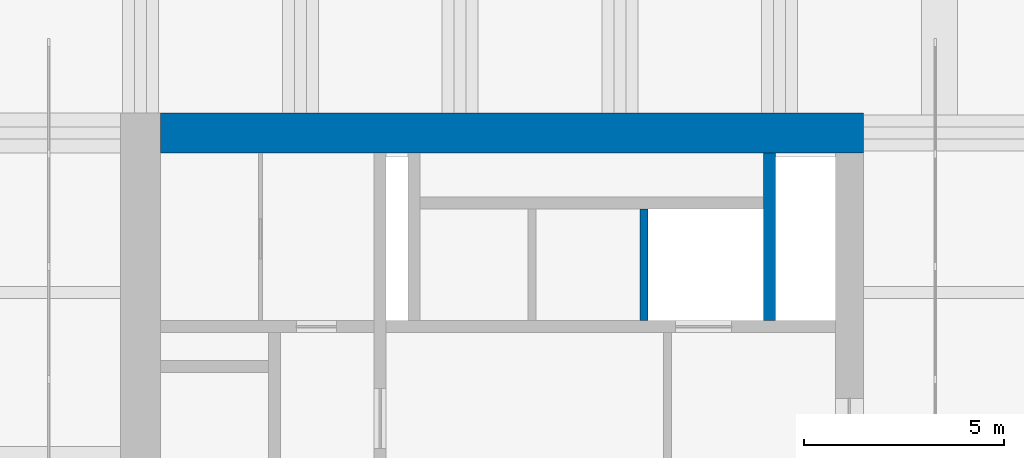
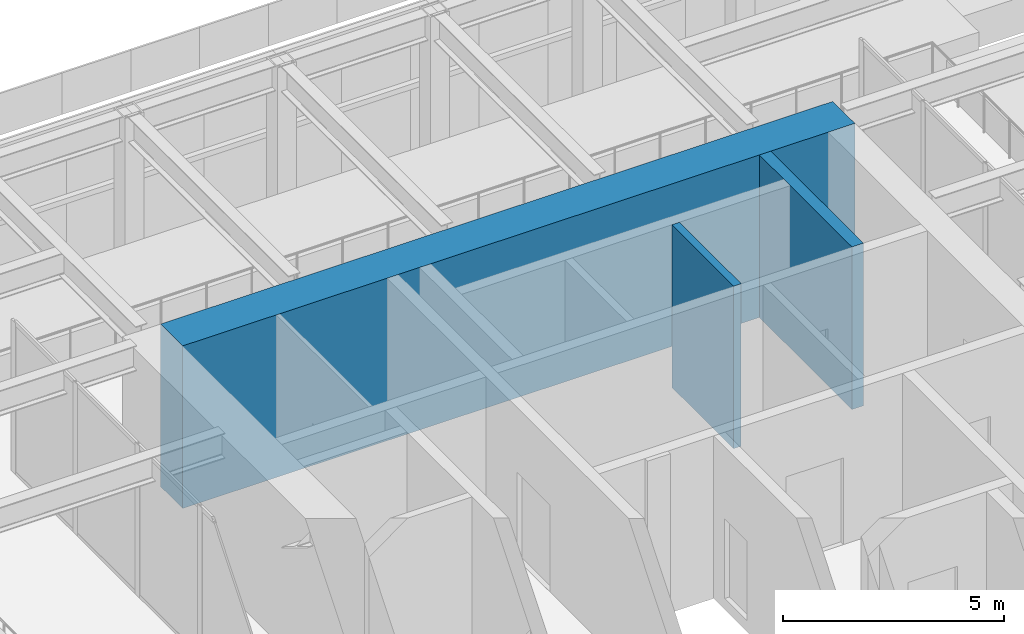
# One storey, part 8 of 11: 3 walls.
"""IFC4 building model written with IfcOpenShell, lengths in metres."""

from ifc_helpers import new_model, si_unit, direction, frame, frame_2d, origin, place, context, subcontext, project, spatial, rectangle, extrude, material, layer, layer_set, type_object, element, save


model = new_model("IFC4")

# Units and contexts
model_context = context("Model", 3, precision=1e-05, world=origin(), true_north=direction((0.0, 1.0)))
body_context = subcontext(model_context, "Body", "Model", "MODEL_VIEW")
ifc_project = project(units=[si_unit("LENGTHUNIT", "METRE"), si_unit("AREAUNIT", "SQUARE_METRE"), si_unit("VOLUMEUNIT", "CUBIC_METRE"), si_unit("PLANEANGLEUNIT", "RADIAN"), si_unit("MASSUNIT", "GRAM", prefix="KILO")], contexts=[model_context])

# Site, building, storey
site_placement = place(None, origin())
site = spatial("IfcSite", under=ifc_project, at=site_placement, CompositionType="ELEMENT")
building_placement = place(site_placement, origin())
building = spatial("IfcBuilding", under=site, at=building_placement, Name="Rimbunsela Tower", CompositionType="ELEMENT")
storey_placement = place(building_placement, frame((0.0, 0.0, 304.199951171875)))
storey = spatial("IfcBuildingStorey", under=building, at=storey_placement, Name="RF", CompositionType="ELEMENT", Elevation=304.199951171875)

# Walls
ifc_material_1 = material(Name="Concrete fc' 80 MPa", Category="concrete")
ifc_layer_1 = layer(ifc_material_1, 0.300048828125)
ifc_layer_set_1 = layer_set([ifc_layer_1], Name="Core internal wall 300")
wall_type_1 = type_object("IfcWallType", Name="Core internal wall 300", PredefinedType="SHEAR", material=ifc_layer_set_1)
wall_1_placement = place(storey_placement, frame((33.75, 31.300048828125, -0.300048828125), z_axis=(0.0, 0.0, 1.0), x_axis=(0.0, 1.0, 0.0)))
element("IfcWall", 1, at=wall_1_placement, inside=storey, type_object=wall_type_1, Name="Riser wall", PredefinedType="SHEAR", context=body_context, shape_type="SweptSolid", body=[
    extrude(rectangle(XDim=4.199951171875, YDim=0.300048828125, at=frame_2d((2.10009765625, 0.0))), origin(), (0.0, 0.0, 1.0), 4.5),
])
ifc_material_2 = material(Name="Concrete fc' 80 MPa", Category="concrete")
ifc_layer_2 = layer(ifc_material_2, 1.0)
ifc_layer_set_2 = layer_set([ifc_layer_2], Name="Core wall 1000")
wall_type_2 = type_object("IfcWallType", Name="Core wall 1000", PredefinedType="SHEAR", material=ifc_layer_set_2)
wall_2_placement = place(storey_placement, frame((18.5, 36.0, -0.300048828125), z_axis=(0.0, 0.0, 1.0), x_axis=(1.0, 0.0, 0.0)))
element("IfcWall", 2, at=wall_2_placement, inside=storey, type_object=wall_type_2, Name="Core wall north", PredefinedType="SHEAR", context=body_context, shape_type="SweptSolid", body=[
    extrude(rectangle(XDim=17.60009765625, YDim=1.0, at=frame_2d((8.800048828125, 0.0))), origin(), (0.0, 0.0, 1.0), 4.5),
])
ifc_material_3 = material(Name="Concrete blockwork", Category="masonry")
ifc_layer_3 = layer(ifc_material_3, 0.199951171875)
ifc_layer_set_3 = layer_set([ifc_layer_3], Name="Lift shaft wall 200")
wall_type_3 = type_object("IfcWallType", Name="Lift shaft wall 200", PredefinedType="SOLIDWALL", material=ifc_layer_set_3)
wall_3_placement = place(storey_placement, frame((30.60009765625, 31.300048828125, -0.300048828125), z_axis=(0.0, 0.0, 1.0), x_axis=(0.0, 1.0, 0.0)))
element("IfcWall", 3, at=wall_3_placement, inside=storey, type_object=wall_type_3, Name="Lift shaft separation", PredefinedType="SOLIDWALL", context=body_context, shape_type="SweptSolid", body=[
    extrude(rectangle(XDim=2.800048828125, YDim=0.199951171875, at=frame_2d((1.39990234375, 0.0))), origin(), (0.0, 0.0, 1.0), 4.5),
])

save(model, "model.ifc")
